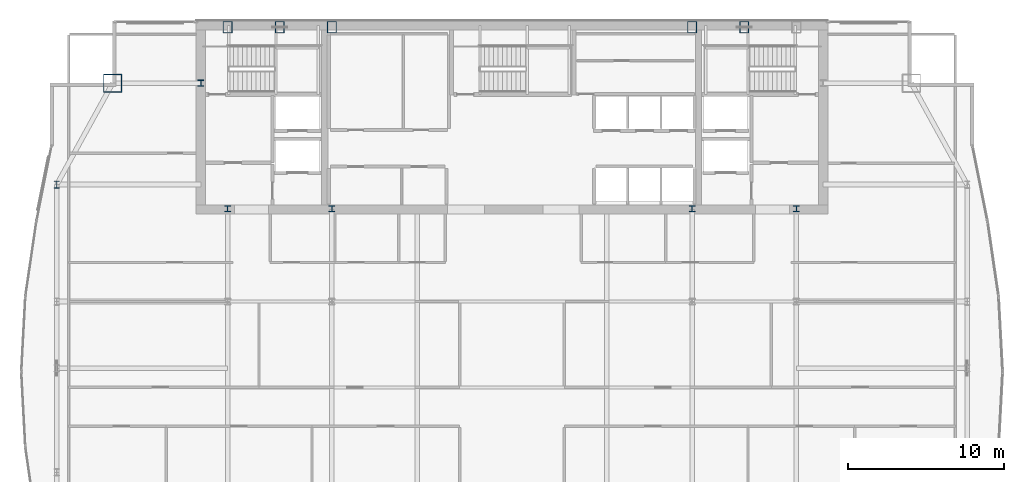
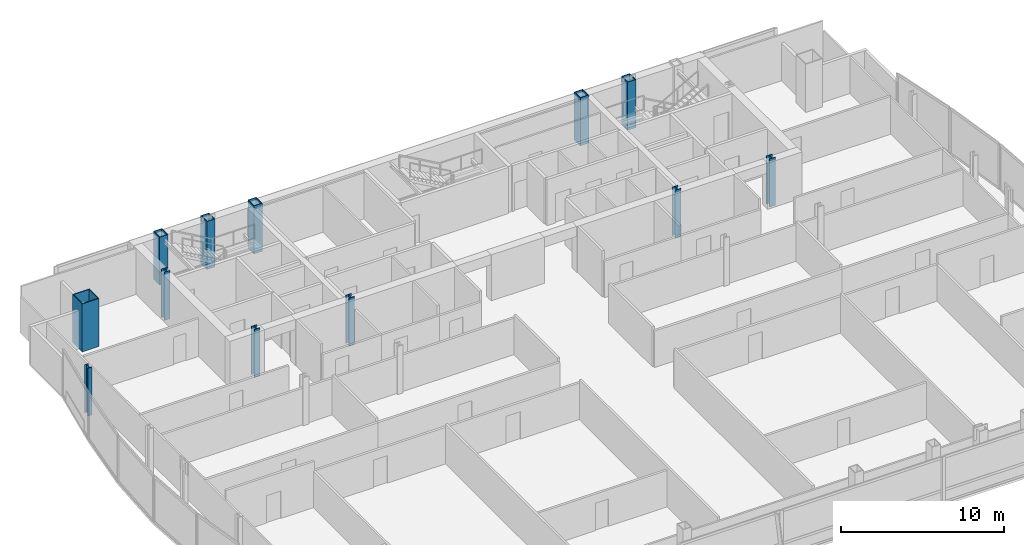
# One storey, part 3 of 30: 12 columns.
"""IFC4 building model written with IfcOpenShell, lengths in metres."""

from ifc_helpers import new_model, si_unit, direction, frame, origin, origin_2d, place, context, subcontext, project, spatial, hollow_rectangle, i_section, extrude, material, material_profile, profile_set, type_object, element, save


model = new_model("IFC4")

# Units and contexts
model_context = context("Model", 3, precision=1e-05, world=origin(), true_north=direction((0.0, 1.0)))
body_context = subcontext(model_context, "Body", "Model", "MODEL_VIEW")
ifc_project = project(units=[si_unit("LENGTHUNIT", "METRE"), si_unit("AREAUNIT", "SQUARE_METRE"), si_unit("VOLUMEUNIT", "CUBIC_METRE"), si_unit("PLANEANGLEUNIT", "RADIAN"), si_unit("MASSUNIT", "GRAM", prefix="KILO")], contexts=[model_context])

# Site, building, storey
site_placement = place(None, origin())
site = spatial("IfcSite", under=ifc_project, at=site_placement, CompositionType="ELEMENT")
building_placement = place(site_placement, origin())
building = spatial("IfcBuilding", under=site, at=building_placement, Name="Khoronbel Lancet Exchange", CompositionType="ELEMENT")
storey_placement = place(building_placement, frame((0.0, 0.0, 206.60009765625)))
storey = spatial("IfcBuildingStorey", under=building, at=storey_placement, Name="L52", CompositionType="ELEMENT", Elevation=206.60009765625)

# Columns
ifc_material_1 = material(Name="Steel S460", Category="steel")
ifc_material_profile_1 = material_profile(ifc_material_1, hollow_rectangle(XDim=0.60009765625, YDim=0.75, WallThickness=0.044921875, at=origin_2d()), Name="BOX 750x600x45")
ifc_profile_set_1 = profile_set([ifc_material_profile_1], Name="Steel S460")
column_type_1 = type_object("IfcColumnType", Name="COL-EC3", PredefinedType="COLUMN", material=ifc_profile_set_1)
for number, where, z_axis, x_axis, name in (
    (1, (18.22509765625, 53.280029296875, 0.0), (0.0, 0.0, 1.0), (1.0, 0.0, 0.0), "Structural column NC-W1 L52"),
    (2, (21.5625, 53.280029296875, 0.0), (0.0, 0.0, 1.0), (1.0, 0.0, 0.0), "Structural column NC-WM L52"),
    (3, (24.89990234375, 53.280029296875, 0.0), (0.0, 0.0, 1.0), (1.0, 0.0, 0.0), "Structural column NC-W2 L52"),
    (4, (48.0, 53.280029296875, 0.0), (0.0, 0.0, 1.0), (1.0, 0.0, 0.0), "Structural column NC-E1 L52"),
    (5, (51.33740234375, 53.280029296875, 0.0), (0.0, 0.0, 1.0), (1.0, 0.0, 0.0), "Structural column NC-EM L52"),
):
    element("IfcColumn", number, at=place(storey_placement, frame(where, z_axis=z_axis, x_axis=x_axis)), inside=storey, type_object=column_type_1, Name=name, PredefinedType="COLUMN", context=body_context, shape_type="SweptSolid", body=[
        extrude(hollow_rectangle(XDim=0.60009765625, YDim=0.75, WallThickness=0.044921875, at=origin_2d()), origin(), (0.0, 0.0, 1.0), 3.599853515625),
    ])
ifc_material_2 = material(Name="Steel S355", Category="steel")
ifc_material_profile_2 = material_profile(ifc_material_2, i_section(OverallWidth=0.406005859375, OverallDepth=0.416015625, WebThickness=0.02978515625, FlangeThickness=0.048095703125, at=origin_2d()), Name="HD 400x382")
ifc_profile_set_2 = profile_set([ifc_material_profile_2], Name="Steel S355")
column_type_2 = type_object("IfcColumnType", Name="COL-IC3", PredefinedType="COLUMN", material=ifc_profile_set_2)
for number, where, z_axis, x_axis, name in (
    (6, (16.5, 49.699951171875, 0.0), (0.0, 0.0, 1.0), (1.0, 0.0, 0.0), "Core-flank plumb transfer column CFW L52"),
    (7, (18.22509765625, 41.64990234375, 0.0), (0.0, 0.0, 1.0), (1.0, 0.0, 0.0), "Core-embedded steel column CTC1 L52"),
    (8, (24.89990234375, 41.64990234375, 0.0), (0.0, 0.0, 1.0), (1.0, 0.0, 0.0), "Core-embedded steel column CTC2 L52"),
    (9, (48.0, 41.64990234375, 0.0), (0.0, 0.0, 1.0), (1.0, 0.0, 0.0), "Core-embedded steel column CTC3 L52"),
    (10, (54.675048828125, 41.64990234375, 0.0), (0.0, 0.0, 1.0), (1.0, 0.0, 0.0), "Core-embedded steel column CTC4 L52"),
):
    element("IfcColumn", number, at=place(storey_placement, frame(where, z_axis=z_axis, x_axis=x_axis)), inside=storey, type_object=column_type_2, Name=name, PredefinedType="COLUMN", context=body_context, shape_type="SweptSolid", body=[
        extrude(i_section(OverallWidth=0.406005859375, OverallDepth=0.416015625, WebThickness=0.02978515625, FlangeThickness=0.048095703125, at=origin_2d()), origin(), (0.0, 0.0, 1.0), 3.599853515625),
    ])
ifc_material_profile_3 = material_profile(ifc_material_2, i_section(OverallWidth=0.300048828125, OverallDepth=0.449951171875, WebThickness=0.013916015625, FlangeThickness=0.02587890625, at=origin_2d()), Name="HEB 450")
ifc_profile_set_3 = profile_set([ifc_material_profile_3], Name="Steel S355")
column_type_3 = type_object("IfcColumnType", Name="COL-LC2", PredefinedType="COLUMN", material=ifc_profile_set_3)
column_1_placement = place(storey_placement, frame((7.27001953125, 43.199951171875, 0.0), z_axis=(0.0, 0.0, 1.0), x_axis=(1.0, 0.0, 0.0)))
element("IfcColumn", 11, at=column_1_placement, inside=storey, type_object=column_type_3, Name="Structural column WC-4 L52", PredefinedType="COLUMN", context=body_context, shape_type="SweptSolid", body=[
    extrude(i_section(OverallWidth=0.300048828125, OverallDepth=0.449951171875, WebThickness=0.013916015625, FlangeThickness=0.02587890625, at=origin_2d()), origin(), (0.0, 0.0, 1.0), 3.599853515625),
])
ifc_material_profile_4 = material_profile(ifc_material_1, hollow_rectangle(XDim=1.199951171875, YDim=1.199951171875, WallThickness=0.06005859375, at=origin_2d()), Name="BOX 1200x1200x60")
ifc_profile_set_4 = profile_set([ifc_material_profile_4], Name="Steel S460")
column_type_4 = type_object("IfcColumnType", Name="COL-MC5", PredefinedType="COLUMN", material=ifc_profile_set_4)
column_2_placement = place(storey_placement, frame((10.85009765625, 49.699951171875, 0.0), z_axis=(0.0, 0.0, 1.0), x_axis=(1.0, 0.0, 0.0)))
element("IfcColumn", 12, at=column_2_placement, inside=storey, type_object=column_type_4, Name="Structural column MC-NW L52", PredefinedType="COLUMN", context=body_context, shape_type="SweptSolid", body=[
    extrude(hollow_rectangle(XDim=1.199951171875, YDim=1.199951171875, WallThickness=0.06005859375, at=origin_2d()), origin(), (0.0, 0.0, 1.0), 3.599853515625),
])

save(model, "model.ifc")
